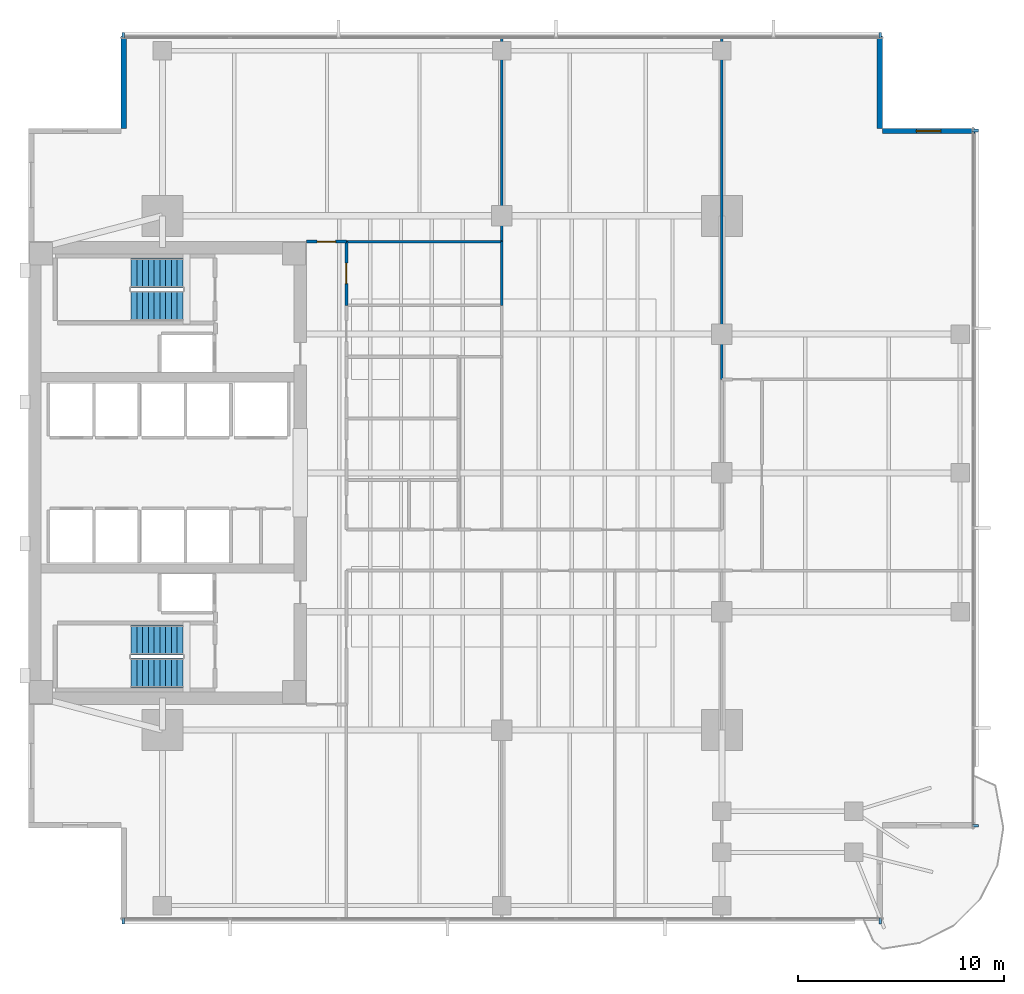
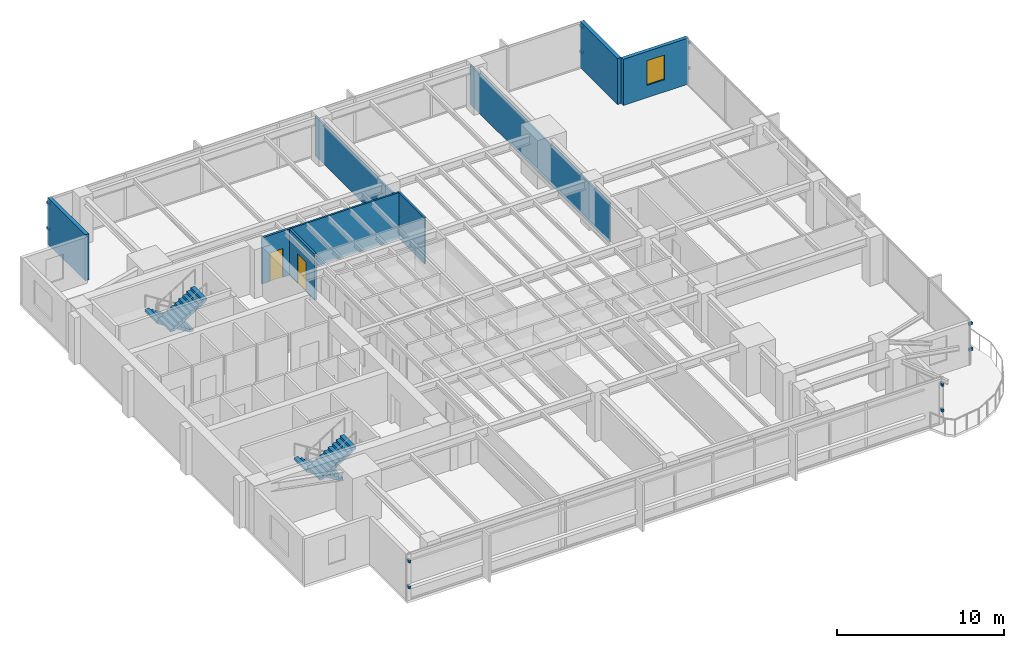
# One storey, part 10 of 15: 12 discrete accessories, 9 walls, 4 stair flights, 2 doors, 1 window, 3 openings, 2 elements without a shape of their own.
"""IFC4 building model written with IfcOpenShell, lengths in metres."""

from ifc_helpers import new_model, si_unit, direction, frame, frame_2d, origin, origin_2d, place, context, subcontext, project, spatial, polyline, rectangle, outline, extrude, material, layer, layer_set, type_object, element, fill, aggregate, save


model = new_model("IFC4")

# Units and contexts
model_context = context("Model", 3, precision=1e-05, world=origin(), true_north=direction((0.0, 1.0)))
body_context = subcontext(model_context, "Body", "Model", "MODEL_VIEW")
ifc_project = project(units=[si_unit("LENGTHUNIT", "METRE"), si_unit("AREAUNIT", "SQUARE_METRE"), si_unit("VOLUMEUNIT", "CUBIC_METRE"), si_unit("PLANEANGLEUNIT", "RADIAN"), si_unit("MASSUNIT", "GRAM", prefix="KILO")], contexts=[model_context])

# Site, building, storey
site_placement = place(None, origin())
site = spatial("IfcSite", under=ifc_project, at=site_placement, CompositionType="ELEMENT")
building_placement = place(site_placement, origin())
building = spatial("IfcBuilding", under=site, at=building_placement, Name="Kinhvarn Gate Tower", CompositionType="ELEMENT")
storey_placement = place(building_placement, frame((0.0, 0.0, 112.89990234375)))
storey = spatial("IfcBuildingStorey", under=building, at=storey_placement, Name="L29", CompositionType="ELEMENT", Elevation=112.89990234375)

# Wall, opening, window
ifc_material_1 = material(Name="Fired architectural terracotta", Category="masonry")
ifc_layer_1 = layer(ifc_material_1, 0.25)
ifc_layer_set_1 = layer_set([ifc_layer_1], Name="Fired architectural terracotta")
wall_type_1 = type_object("IfcWallType", Name="WL-EXT-250", PredefinedType="SOLIDWALL", material=ifc_layer_set_1)
wall_1_placement = place(storey_placement, frame((50.5, 41.875, 0.0), z_axis=(0.0, 0.0, 1.0), x_axis=(-1.0, 0.0, 0.0)))
wall_1 = element("IfcWall", 1, at=wall_1_placement, inside=storey, type_object=wall_type_1, Name="Exterior Solidwall Wall EW-250 (L29 NE-Notch-1)", PredefinedType="SOLIDWALL", context=body_context, shape_type="SweptSolid", body=[
    extrude(rectangle(XDim=4.5, YDim=0.25, at=frame_2d((2.25, 0.0))), origin(), (0.0, 0.0, 1.0), 3.3701171875),
])
opening_1_placement = place(wall_1_placement, frame((1.64990234375, 0.0, 0.89990234375)))
opening_1 = element("IfcOpeningElement", 2, at=opening_1_placement, cuts=wall_1, Name="Opening WN-02", PredefinedType="OPENING", context=body_context, shape_type="SweptSolid", body=[
    extrude(rectangle(XDim=1.199951171875, YDim=1.800048828125, at=frame_2d((0.60009765625, 0.89990234375))), frame((0.0, 0.135009765625, 0.0), z_axis=(0.0, -1.0, 0.0), x_axis=(1.0, 0.0, 0.0)), (0.0, 0.0, 1.0), 0.27001953125),
])
ifc_material_2 = material(Name="Clear low-e double glazing", Category="glass")
window_type = type_object("IfcWindowType", Name="WIN-NTC-1200", PartitioningType="SINGLE_PANEL", PredefinedType="WINDOW", material=ifc_material_2)
window_placement = place(opening_1_placement, origin())
window = element("IfcWindow", 3, at=window_placement, inside=storey, type_object=window_type, Name="Recessed Corner Notch Punched Window 1200x1800 mm (L29)", OverallHeight=1.800048828125, OverallWidth=1.199951171875, PartitioningType="SINGLE_PANEL", PredefinedType="WINDOW", context=body_context, shape_type="SweptSolid", body=[
    extrude(rectangle(XDim=1.199951171875, YDim=1.800048828125, at=frame_2d((0.60009765625, 0.89990234375))), frame((0.0, 0.030029296875, 0.0), z_axis=(0.0, -1.0, 0.0), x_axis=(1.0, 0.0, 0.0)), (0.0, 0.0, 1.0), 0.06005859375),
])
fill(opening_1, window)

# Walls
for number, where, z_axis, x_axis, name in (
    (4, (45.875, 42.0, 0.0), (0.0, 0.0, 1.0), (0.0, 1.0, 0.0), "Exterior Solidwall Wall EW-250 (L29 NE-Notch-2)"),
    (5, (9.125, 46.5, 0.0), (0.0, 0.0, 1.0), (0.0, -1.0, 0.0), "Exterior Solidwall Wall EW-250 (L29 NW-Notch-1)"),
):
    element("IfcWall", number, at=place(storey_placement, frame(where, z_axis=z_axis, x_axis=x_axis)), inside=storey, type_object=wall_type_1, Name=name, PredefinedType="SOLIDWALL", context=body_context, shape_type="SweptSolid", body=[
        extrude(rectangle(XDim=4.5, YDim=0.25, at=frame_2d((2.25, 0.0))), origin(), (0.0, 0.0, 1.0), 3.3701171875),
    ])
ifc_material_3 = material(Name="Gypsum acoustic partition board")
ifc_layer_2 = layer(ifc_material_3, 0.1201171875)
ifc_layer_set_2 = layer_set([ifc_layer_2], Name="Gypsum acoustic partition board")
wall_type_2 = type_object("IfcWallType", Name="WL-PRT-120", PredefinedType="PARTITIONING", material=ifc_layer_set_2)
wall_2_placement = place(storey_placement, frame((19.949951171875, 36.5, 0.0), z_axis=(0.0, 0.0, 1.0), x_axis=(1.0, 0.0, 0.0)))
element("IfcWall", 6, at=wall_2_placement, inside=storey, type_object=wall_type_2, Name="Interior Partition PW-120 (L29)", PredefinedType="PARTITIONING", context=body_context, shape_type="SweptSolid", body=[
    extrude(rectangle(XDim=7.550048828125, YDim=0.1201171875, at=frame_2d((3.77490234375, 0.0))), origin(), (0.0, 0.0, 1.0), 3.3701171875),
])
wall_3_placement = place(storey_placement, frame((27.5, 33.39990234375, 0.0), z_axis=(0.0, 0.0, 1.0), x_axis=(0.0, 1.0, 0.0)))
element("IfcWall", 7, at=wall_3_placement, inside=storey, type_object=wall_type_2, Name="Interior Partition PW-120 (L29)", PredefinedType="PARTITIONING", context=body_context, shape_type="SweptSolid", body=[
    extrude(rectangle(XDim=3.10009765625, YDim=0.1201171875, at=frame_2d((1.550048828125, 0.0))), origin(), (0.0, 0.0, 1.0), 3.3701171875),
])
wall_4_placement = place(storey_placement, frame((27.5, 36.5, 0.0), z_axis=(0.0, 0.0, 1.0), x_axis=(0.0, 1.0, 0.0)))
element("IfcWall", 8, at=wall_4_placement, inside=storey, type_object=wall_type_2, Name="Interior Partition PW-120 (L29)", PredefinedType="PARTITIONING", context=body_context, shape_type="SweptSolid", body=[
    extrude(rectangle(XDim=9.989990234375, YDim=0.1201171875, at=frame_2d((4.9951171875, 0.0))), origin(), (0.0, 0.0, 1.0), 2.8701171875),
])
wall_5_placement = place(storey_placement, frame((38.199951171875, 29.800048828125, 0.0), z_axis=(0.0, 0.0, 1.0), x_axis=(0.0, 1.0, 0.0)))
element("IfcWall", 9, at=wall_5_placement, inside=storey, type_object=wall_type_2, Name="Interior Partition PW-120 (L29)", PredefinedType="PARTITIONING", context=body_context, shape_type="SweptSolid", body=[
    extrude(rectangle(XDim=16.68994140625, YDim=0.1201171875, at=frame_2d((8.344970703125, 0.0))), origin(), (0.0, 0.0, 1.0), 2.8701171875),
])

# Wall, opening, door
ifc_layer_3 = layer(ifc_material_3, 0.14990234375)
ifc_layer_set_3 = layer_set([ifc_layer_3], Name="Gypsum acoustic partition board")
wall_type_3 = type_object("IfcWallType", Name="WL-PRT-150F", PredefinedType="PARTITIONING", material=ifc_layer_set_3)
wall_6_placement = place(storey_placement, frame((19.949951171875, 33.39990234375, 0.0), z_axis=(0.0, 0.0, 1.0), x_axis=(0.0, 1.0, 0.0)))
wall_6 = element("IfcWall", 10, at=wall_6_placement, inside=storey, type_object=wall_type_3, Name="Interior Partition PW-150F (L29)", PredefinedType="PARTITIONING", context=body_context, shape_type="SweptSolid", body=[
    extrude(rectangle(XDim=3.10009765625, YDim=0.14990234375, at=frame_2d((1.550048828125, 0.0))), origin(), (0.0, 0.0, 1.0), 3.3701171875),
])
opening_2_placement = place(wall_6_placement, frame((1.050048828125, 0.0, 0.0)))
opening_2 = element("IfcOpeningElement", 11, at=opening_2_placement, cuts=wall_6, Name="Opening ID-02", PredefinedType="OPENING", context=body_context, shape_type="SweptSolid", body=[
    extrude(rectangle(XDim=1.0, YDim=2.14990234375, at=frame_2d((0.5, 1.074951171875))), frame((0.0, 0.0849609375, 0.0), z_axis=(0.0, -1.0, 0.0), x_axis=(1.0, 0.0, 0.0)), (0.0, 0.0, 1.0), 0.169921875),
])
ifc_material_4 = material(Name="Anodised aluminium AW-6063", Category="aluminium")
door_type_1 = type_object("IfcDoorType", Name="DR-INT-1000", OperationType="NOTDEFINED", PredefinedType="DOOR", material=ifc_material_4)
door_1_placement = place(opening_2_placement, origin())
door_1 = element("IfcDoor", 12, at=door_1_placement, inside=storey, type_object=door_type_1, Name="Standard Office & Meeting Room Door 1000x2150 mm (L29)", OperationType="SINGLE_SWING_RIGHT", OverallHeight=2.14990234375, OverallWidth=1.0, PredefinedType="DOOR", context=body_context, shape_type="SweptSolid", body=[
    extrude(rectangle(XDim=1.0, YDim=2.14990234375, at=frame_2d((0.5, 1.074951171875))), frame((0.0, 0.02490234375, 0.0), z_axis=(0.0, -1.0, 0.0), x_axis=(1.0, 0.0, 0.0)), (0.0, 0.0, 1.0), 0.050048828125),
])
fill(opening_2, door_1)

wall_7_placement = place(storey_placement, frame((18.0, 36.5, 0.0), z_axis=(0.0, 0.0, 1.0), x_axis=(1.0, 0.0, 0.0)))
wall_7 = element("IfcWall", 13, at=wall_7_placement, inside=storey, type_object=wall_type_3, Name="Interior Partition PW-150F (L29)", PredefinedType="PARTITIONING", context=body_context, shape_type="SweptSolid", body=[
    extrude(rectangle(XDim=1.949951171875, YDim=0.14990234375, at=frame_2d((0.97509765625, 0.0))), origin(), (0.0, 0.0, 1.0), 3.3701171875),
])
opening_3_placement = place(wall_7_placement, frame((0.52490234375, 0.0, 0.0)))
opening_3 = element("IfcOpeningElement", 14, at=opening_3_placement, cuts=wall_7, Name="Opening ID-03", PredefinedType="OPENING", context=body_context, shape_type="SweptSolid", body=[
    extrude(rectangle(XDim=0.89990234375, YDim=2.10009765625, at=frame_2d((0.449951171875, 1.050048828125))), frame((0.0, 0.0849609375, 0.0), z_axis=(0.0, -1.0, 0.0), x_axis=(1.0, 0.0, 0.0)), (0.0, 0.0, 1.0), 0.169921875),
])
door_type_2 = type_object("IfcDoorType", Name="DR-INT-900", OperationType="NOTDEFINED", PredefinedType="DOOR", material=ifc_material_4)
door_2_placement = place(opening_3_placement, origin())
door_2 = element("IfcDoor", 15, at=door_2_placement, inside=storey, type_object=door_type_2, Name="Cellular Office & Restroom Door 900x2100 mm (L29)", OperationType="SINGLE_SWING_LEFT", OverallHeight=2.10009765625, OverallWidth=0.89990234375, PredefinedType="DOOR", context=body_context, shape_type="SweptSolid", body=[
    extrude(rectangle(XDim=0.89990234375, YDim=2.10009765625, at=frame_2d((0.449951171875, 1.050048828125))), frame((0.0, 0.02490234375, 0.0), z_axis=(0.0, -1.0, 0.0), x_axis=(1.0, 0.0, 0.0)), (0.0, 0.0, 1.0), 0.050048828125),
])
fill(opening_3, door_2)

# Stair, stair flights
ifc_material_5 = material(Name="Concrete C40/50", Category="concrete")
stair_type = type_object("IfcStairType", Name="STR-DLG-177", PredefinedType="HALF_TURN_STAIR", material=ifc_material_5)
stair_1_placement = place(storey_placement, origin())
stair_1 = element("IfcStair", 16, at=stair_1_placement, inside=storey, type_object=stair_type, Name="L29 Core Smokeproof Exit Stair ST1", PredefinedType="HALF_TURN_STAIR")
stair_flight_type = type_object("IfcStairFlightType", Name="STF-DLG-177", PredefinedType="STRAIGHT", material=ifc_material_5)
stair_flight_1_placement = place(storey_placement, frame((12.0, 17.125, 0.0), z_axis=(0.0, 0.0, 1.0), x_axis=(-1.0, 0.0, 0.0)))
stair_flight_1 = element("IfcStairFlight", 17, at=stair_flight_1_placement, type_object=stair_flight_type, Name="ST1 flight 1", NumberOfRisers=10, NumberOfTreads=9, PredefinedType="STRAIGHT", RiserHeight=0.1775, TreadLength=0.28, context=body_context, shape_type="SweptSolid", body=[
    extrude(outline(polyline([(0.0, 0.0), (0.0, 0.177490234375), (0.280029296875, 0.177490234375), (0.280029296875, 0.35498046875), (0.56005859375, 0.35498046875), (0.56005859375, 0.532470703125), (0.840087890625, 0.532470703125), (0.840087890625, 0.7099609375), (1.1201171875, 0.7099609375), (1.1201171875, 0.887451171875), (1.39990234375, 0.887451171875), (1.39990234375, 1.06494140625), (1.679931640625, 1.06494140625), (1.679931640625, 1.242431640625), (1.9599609375, 1.242431640625), (1.9599609375, 1.419921875), (2.239990234375, 1.419921875), (2.239990234375, 1.597412109375), (2.52001953125, 1.597412109375), (2.52001953125, 1.77490234375), (2.52001953125, 1.419921875), (0.280029296875, 0.0), (0.0, 0.0)])), frame((0.0, 0.72509765625, 0.0), z_axis=(0.0, -1.0, 0.0), x_axis=(1.0, 0.0, 0.0)), (0.0, 0.0, 1.0), 1.449951171875),
])
stair_flight_2_placement = place(storey_placement, frame((9.47998046875, 15.52490234375, 1.775146484375), z_axis=(0.0, 0.0, 1.0), x_axis=(1.0, 0.0, 0.0)))
stair_flight_2 = element("IfcStairFlight", 18, at=stair_flight_2_placement, type_object=stair_flight_type, Name="ST1 flight 2", NumberOfRisers=10, NumberOfTreads=9, PredefinedType="STRAIGHT", RiserHeight=0.1775, TreadLength=0.28, context=body_context, shape_type="SweptSolid", body=[
    extrude(outline(polyline([(0.0, 0.0), (0.0, 0.177490234375), (0.280029296875, 0.177490234375), (0.280029296875, 0.35498046875), (0.56005859375, 0.35498046875), (0.56005859375, 0.532470703125), (0.840087890625, 0.532470703125), (0.840087890625, 0.7099609375), (1.1201171875, 0.7099609375), (1.1201171875, 0.887451171875), (1.39990234375, 0.887451171875), (1.39990234375, 1.06494140625), (1.679931640625, 1.06494140625), (1.679931640625, 1.242431640625), (1.9599609375, 1.242431640625), (1.9599609375, 1.419921875), (2.239990234375, 1.419921875), (2.239990234375, 1.597412109375), (2.52001953125, 1.597412109375), (2.52001953125, 1.77490234375), (2.52001953125, 1.419921875), (0.280029296875, 0.0), (0.0, 0.0)])), frame((0.0, 0.72509765625, 0.0), z_axis=(0.0, -1.0, 0.0), x_axis=(1.0, 0.0, 0.0)), (0.0, 0.0, 1.0), 1.449951171875),
])
aggregate(stair_1, [stair_flight_1, stair_flight_2])

stair_2_placement = place(storey_placement, origin())
stair_2 = element("IfcStair", 19, at=stair_2_placement, inside=storey, type_object=stair_type, Name="L29 Core Smokeproof Exit Stair ST2", PredefinedType="HALF_TURN_STAIR")
stair_flight_3_placement = place(storey_placement, frame((12.0, 34.97509765625, 0.0), z_axis=(0.0, 0.0, 1.0), x_axis=(-1.0, 0.0, 0.0)))
stair_flight_3 = element("IfcStairFlight", 20, at=stair_flight_3_placement, type_object=stair_flight_type, Name="ST2 flight 1", NumberOfRisers=10, NumberOfTreads=9, PredefinedType="STRAIGHT", RiserHeight=0.1775, TreadLength=0.28, context=body_context, shape_type="SweptSolid", body=[
    extrude(outline(polyline([(0.0, 0.0), (0.0, 0.177490234375), (0.280029296875, 0.177490234375), (0.280029296875, 0.35498046875), (0.56005859375, 0.35498046875), (0.56005859375, 0.532470703125), (0.840087890625, 0.532470703125), (0.840087890625, 0.7099609375), (1.1201171875, 0.7099609375), (1.1201171875, 0.887451171875), (1.39990234375, 0.887451171875), (1.39990234375, 1.06494140625), (1.679931640625, 1.06494140625), (1.679931640625, 1.242431640625), (1.9599609375, 1.242431640625), (1.9599609375, 1.419921875), (2.239990234375, 1.419921875), (2.239990234375, 1.597412109375), (2.52001953125, 1.597412109375), (2.52001953125, 1.77490234375), (2.52001953125, 1.419921875), (0.280029296875, 0.0), (0.0, 0.0)])), frame((0.0, 0.72509765625, 0.0), z_axis=(0.0, -1.0, 0.0), x_axis=(1.0, 0.0, 0.0)), (0.0, 0.0, 1.0), 1.449951171875),
])
stair_flight_4_placement = place(storey_placement, frame((9.47998046875, 33.375, 1.775146484375), z_axis=(0.0, 0.0, 1.0), x_axis=(1.0, 0.0, 0.0)))
stair_flight_4 = element("IfcStairFlight", 21, at=stair_flight_4_placement, type_object=stair_flight_type, Name="ST2 flight 2", NumberOfRisers=10, NumberOfTreads=9, PredefinedType="STRAIGHT", RiserHeight=0.1775, TreadLength=0.28, context=body_context, shape_type="SweptSolid", body=[
    extrude(outline(polyline([(0.0, 0.0), (0.0, 0.177490234375), (0.280029296875, 0.177490234375), (0.280029296875, 0.35498046875), (0.56005859375, 0.35498046875), (0.56005859375, 0.532470703125), (0.840087890625, 0.532470703125), (0.840087890625, 0.7099609375), (1.1201171875, 0.7099609375), (1.1201171875, 0.887451171875), (1.39990234375, 0.887451171875), (1.39990234375, 1.06494140625), (1.679931640625, 1.06494140625), (1.679931640625, 1.242431640625), (1.9599609375, 1.242431640625), (1.9599609375, 1.419921875), (2.239990234375, 1.419921875), (2.239990234375, 1.597412109375), (2.52001953125, 1.597412109375), (2.52001953125, 1.77490234375), (2.52001953125, 1.419921875), (0.280029296875, 0.0), (0.0, 0.0)])), frame((0.0, 0.72509765625, 0.0), z_axis=(0.0, -1.0, 0.0), x_axis=(1.0, 0.0, 0.0)), (0.0, 0.0, 1.0), 1.449951171875),
])
aggregate(stair_2, [stair_flight_3, stair_flight_4])

# Discrete accessories
discrete_accessory_type = type_object("IfcDiscreteAccessoryType", Name="ACC-BRK-01", PredefinedType="BRACKET", material=ifc_material_4)
for number, where, z_axis, x_axis, name in (
    (22, (9.10009765625, 3.469970703125, 0.9599609375), (0.0, 0.0, 1.0), (1.0, 0.0, 0.0), "Baguette Support Bracket BK-01 (L29)"),
    (23, (9.10009765625, 3.469970703125, 2.830078125), (0.0, 0.0, 1.0), (1.0, 0.0, 0.0), "Baguette Support Bracket BK-01 (L29)"),
    (24, (45.89990234375, 3.469970703125, 0.9599609375), (0.0, 0.0, 1.0), (1.0, 0.0, 0.0), "Baguette Support Bracket BK-01 (L29)"),
    (25, (45.89990234375, 3.469970703125, 2.830078125), (0.0, 0.0, 1.0), (1.0, 0.0, 0.0), "Baguette Support Bracket BK-01 (L29)"),
    (26, (45.89990234375, 46.530029296875, 0.9599609375), (0.0, 0.0, 1.0), (-1.0, 0.0, 0.0), "Baguette Support Bracket BK-01 (L29)"),
    (27, (45.89990234375, 46.530029296875, 2.830078125), (0.0, 0.0, 1.0), (-1.0, 0.0, 0.0), "Baguette Support Bracket BK-01 (L29)"),
    (28, (9.10009765625, 46.530029296875, 0.9599609375), (0.0, 0.0, 1.0), (-1.0, 0.0, 0.0), "Baguette Support Bracket BK-01 (L29)"),
    (29, (9.10009765625, 46.530029296875, 2.830078125), (0.0, 0.0, 1.0), (-1.0, 0.0, 0.0), "Baguette Support Bracket BK-01 (L29)"),
    (30, (50.530029296875, 8.10009765625, 0.9599609375), (0.0, 0.0, 1.0), (0.0, 1.0, 0.0), "Baguette Support Bracket BK-01 (L29)"),
    (31, (50.530029296875, 8.10009765625, 2.830078125), (0.0, 0.0, 1.0), (0.0, 1.0, 0.0), "Baguette Support Bracket BK-01 (L29)"),
    (32, (50.530029296875, 41.89990234375, 0.9599609375), (0.0, 0.0, 1.0), (0.0, 1.0, 0.0), "Baguette Support Bracket BK-01 (L29)"),
    (33, (50.530029296875, 41.89990234375, 2.830078125), (0.0, 0.0, 1.0), (0.0, 1.0, 0.0), "Baguette Support Bracket BK-01 (L29)"),
):
    element("IfcDiscreteAccessory", number, at=place(storey_placement, frame(where, z_axis=z_axis, x_axis=x_axis)), inside=storey, type_object=discrete_accessory_type, Name=name, PredefinedType="BRACKET", context=body_context, shape_type="SweptSolid", body=[
        extrude(rectangle(XDim=0.139892578125, YDim=0.280029296875, at=origin_2d()), origin(), (0.0, 0.0, 1.0), 0.179931640625),
    ])

save(model, "model.ifc")
